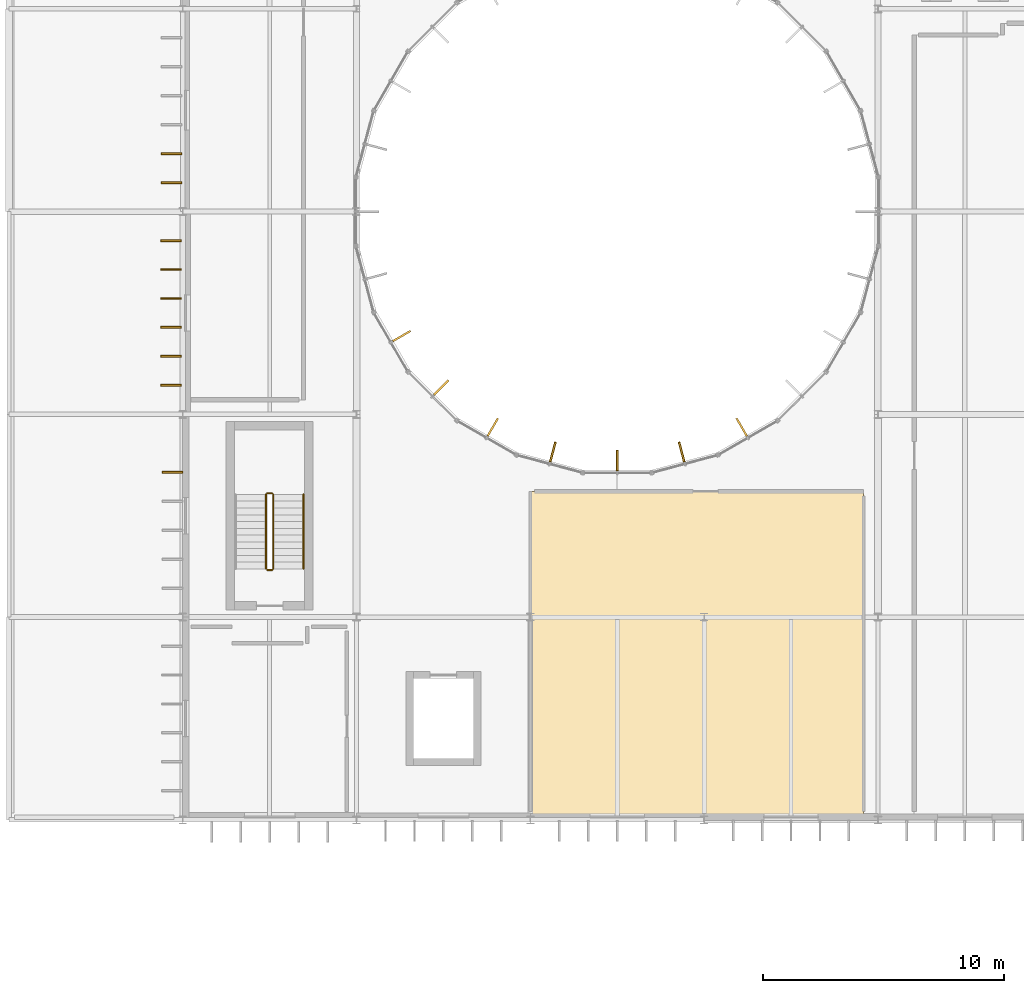
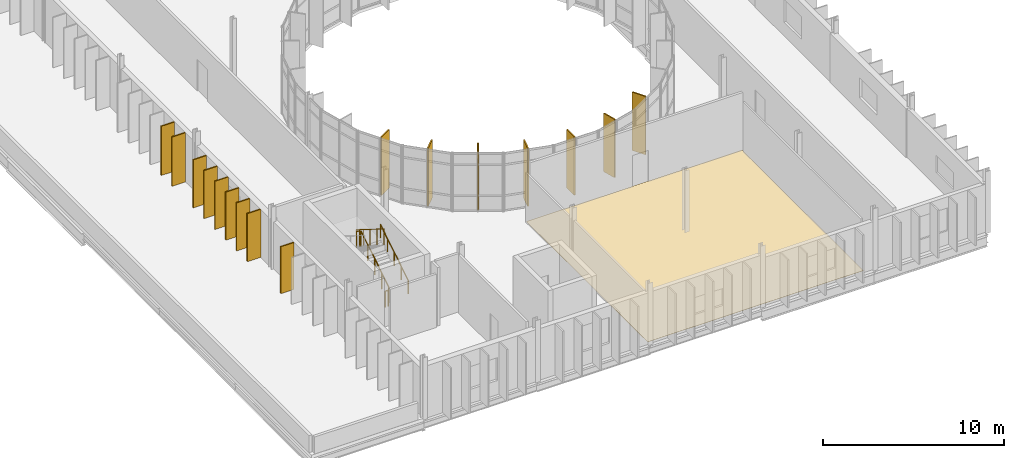
# One storey, part 46 of 52: 16 shading devices, 5 railings, 1 covering.
"""IFC4 building model written with IfcOpenShell, lengths in metres."""

from ifc_helpers import new_model, si_unit, direction, frame, origin, origin_2d, place, context, subcontext, project, spatial, polyline, rectangle, circle, outline, extrude, material, layer, layer_set, type_object, element, save


model = new_model("IFC4")

# Units and contexts
model_context = context("Model", 3, precision=1e-05, world=origin(), true_north=direction((0.0, 1.0)))
body_context = subcontext(model_context, "Body", "Model", "MODEL_VIEW")
ifc_project = project(units=[si_unit("LENGTHUNIT", "METRE"), si_unit("AREAUNIT", "SQUARE_METRE"), si_unit("VOLUMEUNIT", "CUBIC_METRE"), si_unit("PLANEANGLEUNIT", "RADIAN"), si_unit("MASSUNIT", "GRAM", prefix="KILO")], contexts=[model_context])

# Site, building, storey
site_placement = place(None, origin())
site = spatial("IfcSite", under=ifc_project, at=site_placement, CompositionType="ELEMENT")
building_placement = place(site_placement, origin())
building = spatial("IfcBuilding", under=site, at=building_placement, Name="Qelthora Terrace Specialist Clinic", CompositionType="ELEMENT")
storey_placement = place(building_placement, frame((0.0, 0.0, 17.39990234375)))
storey = spatial("IfcBuildingStorey", under=building, at=storey_placement, Name="L04", CompositionType="ELEMENT", Elevation=17.39990234375)

# Covering
ifc_material_1 = material(Name="Antimicrobial clinical linoleum flooring", Category="other")
ifc_layer = layer(ifc_material_1, 0.011962890625)
ifc_layer_set = layer_set([ifc_layer], Name="Antimicrobial clinical linoleum flooring")
covering_type = type_object("IfcCoveringType", Name="COV-FLR-LINO-12", PredefinedType="FLOORING", material=ifc_layer_set)
covering_placement = place(storey_placement, origin())
element("IfcCovering", 1, at=covering_placement, inside=storey, type_object=covering_type, Name="Sterile Compounding Quality Lab L04-54 resilient linoleum flooring", PredefinedType="FLOORING", context=body_context, shape_type="SweptSolid", body=[
    extrude(outline(polyline([(21.60009765625, 58.949951171875), (21.60009765625, 72.39990234375), (35.39990234375, 72.39990234375), (35.39990234375, 58.949951171875), (21.60009765625, 58.949951171875)])), origin(), (0.0, 0.0, 1.0), 0.01220703125),
])

# Railings
ifc_material_2 = material(Name="Steel S355", Category="steel")
railing_type_1 = type_object("IfcRailingType", Name="RAL-GD-1100-S355", PredefinedType="GUARDRAIL", material=ifc_material_2)
railing_1_placement = place(storey_placement, frame((10.949951171875, 69.199951171875, 0.175048828125)))
element("IfcRailing", 2, at=railing_1_placement, inside=storey, type_object=railing_type_1, Name="L04 ST-01 stair guard 1", PredefinedType="GUARDRAIL", context=body_context, shape_type="SweptSolid", body=[
    extrude(circle(Radius=0.02392578125, at=origin_2d()), frame((0.0, 0.0, 1.076171875), z_axis=(0.0, 0.847998304005, 0.529998940003), x_axis=(-1.0, 0.0, 0.0)), (0.0, 0.0, 1.0), 3.632080078125),
    extrude(circle(Radius=0.02099609375, at=origin_2d()), origin(), (0.0, 0.0, 1.0), 1.052001953125),
    extrude(circle(Radius=0.02099609375, at=origin_2d()), frame((0.0, 0.77001953125, 0.481201171875)), (0.0, 0.0, 1.0), 1.052001953125),
    extrude(circle(Radius=0.02099609375, at=origin_2d()), frame((0.0, 1.5400390625, 0.96240234375)), (0.0, 0.0, 1.0), 1.052001953125),
    extrude(circle(Radius=0.02099609375, at=origin_2d()), frame((0.0, 2.31005859375, 1.44384765625)), (0.0, 0.0, 1.0), 1.052001953125),
    extrude(circle(Radius=0.02099609375, at=origin_2d()), frame((0.0, 3.080078125, 1.925048828125)), (0.0, 0.0, 1.0), 1.052001953125),
])
railing_2_placement = place(storey_placement, frame((10.89990234375, 72.330078125, 2.10009765625)))
element("IfcRailing", 3, at=railing_2_placement, inside=storey, type_object=railing_type_1, Name="L04 ST-01 stair guard 2", PredefinedType="GUARDRAIL", context=body_context, shape_type="SweptSolid", body=[
    extrude(circle(Radius=0.02392578125, at=origin_2d()), frame((0.0, 0.0, 1.076171875), z_axis=(-1.0, 0.0, 0.0), x_axis=(0.0, -1.0, 0.0)), (0.0, 0.0, 1.0), 0.199951171875),
    extrude(circle(Radius=0.02099609375, at=origin_2d()), origin(), (0.0, 0.0, 1.0), 1.052001953125),
    extrude(circle(Radius=0.02099609375, at=origin_2d()), frame((-0.199951171875, 0.0, 0.0)), (0.0, 0.0, 1.0), 1.052001953125),
])
railing_3_placement = place(storey_placement, frame((10.64990234375, 72.280029296875, 2.275146484375)))
element("IfcRailing", 4, at=railing_3_placement, inside=storey, type_object=railing_type_1, Name="L04 ST-01 stair guard 3", PredefinedType="GUARDRAIL", context=body_context, shape_type="SweptSolid", body=[
    extrude(circle(Radius=0.02392578125, at=origin_2d()), frame((0.0, 0.0, 1.076171875), z_axis=(0.0, -0.847998304005, 0.529998940003), x_axis=(1.0, 0.0, 0.0)), (0.0, 0.0, 1.0), 3.632080078125),
    extrude(circle(Radius=0.02099609375, at=origin_2d()), origin(), (0.0, 0.0, 1.0), 1.052001953125),
    extrude(circle(Radius=0.02099609375, at=origin_2d()), frame((0.0, -0.77001953125, 0.481201171875)), (0.0, 0.0, 1.0), 1.052001953125),
    extrude(circle(Radius=0.02099609375, at=origin_2d()), frame((0.0, -1.5400390625, 0.96240234375)), (0.0, 0.0, 1.0), 1.052001953125),
    extrude(circle(Radius=0.02099609375, at=origin_2d()), frame((0.0, -2.31005859375, 1.44384765625)), (0.0, 0.0, 1.0), 1.052001953125),
    extrude(circle(Radius=0.02099609375, at=origin_2d()), frame((0.0, -3.080078125, 1.925048828125)), (0.0, 0.0, 1.0), 1.052001953125),
])
railing_4_placement = place(storey_placement, frame((10.89990234375, 69.14990234375, 0.0)))
element("IfcRailing", 5, at=railing_4_placement, inside=storey, type_object=railing_type_1, Name="L04 ST-01 stair guard 4", PredefinedType="GUARDRAIL", context=body_context, shape_type="SweptSolid", body=[
    extrude(circle(Radius=0.02392578125, at=origin_2d()), frame((0.0, 0.0, 1.076171875), z_axis=(-1.0, 0.0, 0.0), x_axis=(0.0, -1.0, 0.0)), (0.0, 0.0, 1.0), 0.199951171875),
    extrude(circle(Radius=0.02099609375, at=origin_2d()), origin(), (0.0, 0.0, 1.0), 1.052001953125),
    extrude(circle(Radius=0.02099609375, at=origin_2d()), frame((-0.199951171875, 0.0, 0.0)), (0.0, 0.0, 1.0), 1.052001953125),
])
railing_type_2 = type_object("IfcRailingType", Name="RAL-HR-900-S355", PredefinedType="HANDRAIL", material=ifc_material_2)
railing_5_placement = place(storey_placement, frame((12.199951171875, 69.199951171875, 0.3681640625)))
element("IfcRailing", 6, at=railing_5_placement, inside=storey, type_object=railing_type_2, Name="L04 ST-01 stair handrail 1", PredefinedType="HANDRAIL", context=body_context, shape_type="SweptSolid", body=[
    extrude(circle(Radius=0.02392578125, at=origin_2d()), frame((0.0, 0.0, 0.8759765625), z_axis=(0.0, 0.847998304005, 0.529998940003), x_axis=(-1.0, 0.0, 0.0)), (0.0, 0.0, 1.0), 3.632080078125),
    extrude(circle(Radius=0.02099609375, at=origin_2d()), origin(), (0.0, 0.0, 1.0), 0.851806640625),
    extrude(circle(Radius=0.02099609375, at=origin_2d()), frame((0.0, 0.77001953125, 0.481201171875)), (0.0, 0.0, 1.0), 0.851806640625),
    extrude(circle(Radius=0.02099609375, at=origin_2d()), frame((0.0, 1.5400390625, 0.96240234375)), (0.0, 0.0, 1.0), 0.851806640625),
    extrude(circle(Radius=0.02099609375, at=origin_2d()), frame((0.0, 2.31005859375, 1.44384765625)), (0.0, 0.0, 1.0), 0.851806640625),
    extrude(circle(Radius=0.02099609375, at=origin_2d()), frame((0.0, 3.080078125, 1.925048828125)), (0.0, 0.0, 1.0), 0.851806640625),
])

# Shading devices
ifc_material_3 = material(Name="Glulam timber GL28h", Category="wood")
shading_device_type = type_object("IfcShadingDeviceType", Name="SHD-FIN-850", PredefinedType="USERDEFINED", material=ifc_material_3)
for number, where, z_axis, x_axis, name in (
    (7, (16.26904296875, 78.84375, 0.0), (0.0, 0.0, 1.0), (0.866025403784, 0.5, 0.0), "Court solar fin FIN-0190"),
    (8, (17.907958984375, 76.707763671875, 0.0), (0.0, 0.0, 1.0), (0.707106781187, 0.707106781187, 0.0), "Court solar fin FIN-0191"),
    (9, (20.043701171875, 75.069091796875, 0.0), (0.0, 0.0, 1.0), (0.5, 0.866025403784, 0.0), "Court solar fin FIN-0192"),
    (10, (22.531005859375, 74.038818359375, 0.0), (0.0, 0.0, 1.0), (0.258819045103, 0.965925826289, 0.0), "Court solar fin FIN-0193"),
    (11, (25.199951171875, 73.6875, 0.0), (0.0, 0.0, 1.0), (0.0, 1.0, 0.0), "Court solar fin FIN-0194"),
    (12, (27.869140625, 74.038818359375, 0.0), (0.0, 0.0, 1.0), (-0.258819045103, 0.965925826289, 0.0), "Court solar fin FIN-0195"),
    (13, (30.356201171875, 75.069091796875, 0.0), (0.0, 0.0, 1.0), (-0.5, 0.866025403784, 0.0), "Court solar fin FIN-0196"),
):
    element("IfcShadingDevice", number, at=place(storey_placement, frame(where, z_axis=z_axis, x_axis=x_axis)), inside=storey, type_object=shading_device_type, Name=name, ObjectType="FIN", PredefinedType="USERDEFINED", context=body_context, shape_type="SweptSolid", body=[
        extrude(rectangle(XDim=0.85009765625, YDim=0.080078125, at=origin_2d()), origin(), (0.0, 0.0, 1.0), 3.945068359375),
    ])
shading_device_placement = place(storey_placement, frame((6.764892578125, 73.199951171875, 0.0), z_axis=(0.0, 0.0, 1.0), x_axis=(-1.0, 0.0, 0.0)))
element("IfcShadingDevice", 14, at=shading_device_placement, inside=storey, type_object=shading_device_type, Name="Exterior solar shading fin FIN-1926", ObjectType="FIN", PredefinedType="USERDEFINED", context=body_context, shape_type="SweptSolid", body=[
    extrude(rectangle(XDim=0.85009765625, YDim=0.080078125, at=origin_2d()), origin(), (0.0, 0.0, 1.0), 3.172119140625),
])
for number, where, z_axis, x_axis, name in (
    (15, (6.705078125, 76.800048828125, 0.0), (0.0, 0.0, 1.0), (-1.0, 0.0, 0.0), "Exterior solar shading fin FIN-1927"),
    (16, (6.705078125, 78.0, 0.0), (0.0, 0.0, 1.0), (-1.0, 0.0, 0.0), "Exterior solar shading fin FIN-1928"),
    (17, (6.705078125, 79.199951171875, 0.0), (0.0, 0.0, 1.0), (-1.0, 0.0, 0.0), "Exterior solar shading fin FIN-1929"),
    (18, (6.705078125, 80.39990234375, 0.0), (0.0, 0.0, 1.0), (-1.0, 0.0, 0.0), "Exterior solar shading fin FIN-1930"),
    (19, (6.705078125, 81.60009765625, 0.0), (0.0, 0.0, 1.0), (-1.0, 0.0, 0.0), "Exterior solar shading fin FIN-1931"),
    (20, (6.705078125, 82.800048828125, 0.0), (0.0, 0.0, 1.0), (-1.0, 0.0, 0.0), "Exterior solar shading fin FIN-1932"),
):
    element("IfcShadingDevice", number, at=place(storey_placement, frame(where, z_axis=z_axis, x_axis=x_axis)), inside=storey, type_object=shading_device_type, Name=name, ObjectType="FIN", PredefinedType="USERDEFINED", context=body_context, shape_type="SweptSolid", body=[
        extrude(rectangle(XDim=0.85009765625, YDim=0.080078125, at=origin_2d()), origin(), (0.0, 0.0, 1.0), 3.2490234375),
    ])
for number, where, z_axis, x_axis, name in (
    (21, (6.735107421875, 85.199951171875, 0.0), (0.0, 0.0, 1.0), (-1.0, 0.0, 0.0), "Exterior solar shading fin FIN-1933"),
    (22, (6.735107421875, 86.39990234375, 0.0), (0.0, 0.0, 1.0), (-1.0, 0.0, 0.0), "Exterior solar shading fin FIN-1934"),
):
    element("IfcShadingDevice", number, at=place(storey_placement, frame(where, z_axis=z_axis, x_axis=x_axis)), inside=storey, type_object=shading_device_type, Name=name, ObjectType="FIN", PredefinedType="USERDEFINED", context=body_context, shape_type="SweptSolid", body=[
        extrude(rectangle(XDim=0.85009765625, YDim=0.080078125, at=origin_2d()), origin(), (0.0, 0.0, 1.0), 3.324951171875),
    ])

save(model, "model.ifc")
